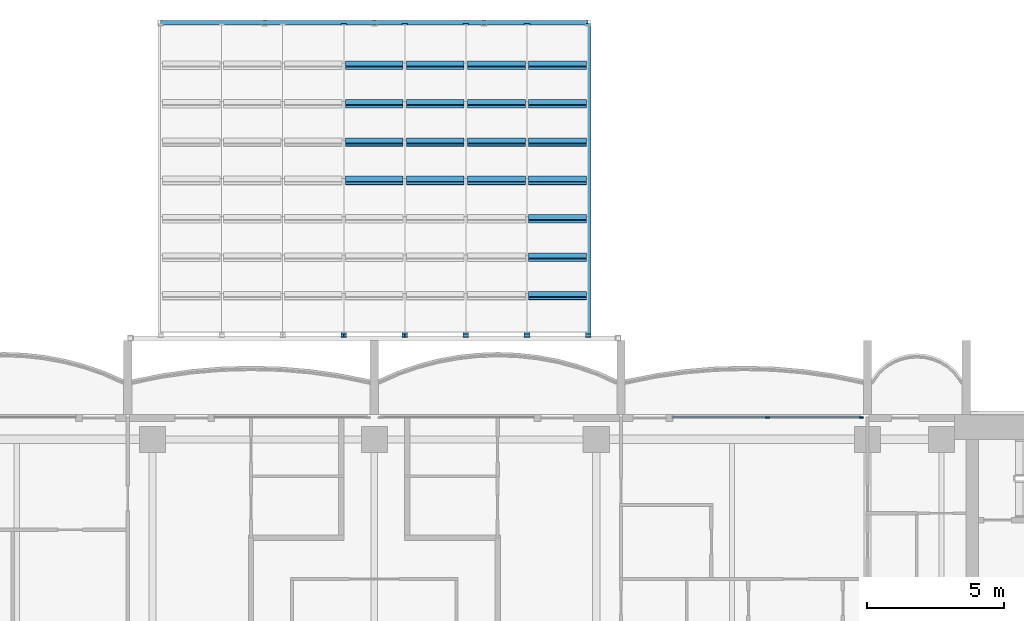
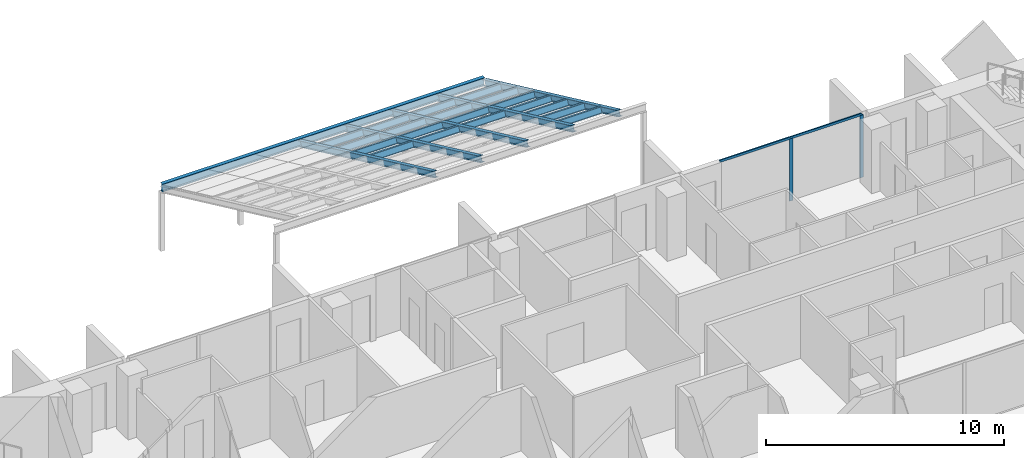
# One storey, part 7 of 20: 22 members, 6 beams, 1 element without a shape of its own.
"""IFC4 building model written with IfcOpenShell, lengths in metres."""

from ifc_helpers import new_model, si_unit, direction, frame, origin, origin_2d, place, context, subcontext, project, spatial, rectangle, i_section, extrude, material, material_profile, profile_set, type_object, element, aggregate, save


model = new_model("IFC4")

# Units and contexts
model_context = context("Model", 3, precision=1e-05, world=origin(), true_north=direction((0.0, 1.0)))
body_context = subcontext(model_context, "Body", "Model", "MODEL_VIEW")
ifc_project = project(units=[si_unit("LENGTHUNIT", "METRE"), si_unit("AREAUNIT", "SQUARE_METRE"), si_unit("VOLUMEUNIT", "CUBIC_METRE"), si_unit("PLANEANGLEUNIT", "RADIAN"), si_unit("MASSUNIT", "GRAM", prefix="KILO")], contexts=[model_context])

# Site, building, storey
site_placement = place(None, origin())
site = spatial("IfcSite", under=ifc_project, at=site_placement, CompositionType="ELEMENT")
building_placement = place(site_placement, origin())
building = spatial("IfcBuilding", under=site, at=building_placement, Name="Perihelion Cross Residences", CompositionType="ELEMENT")
storey_placement = place(building_placement, frame((0.0, 0.0, 170.10009765625)))
storey = spatial("IfcBuildingStorey", under=building, at=storey_placement, Name="L41", CompositionType="ELEMENT", Elevation=170.10009765625)

# Curtain wall, members
ifc_material_1 = material(Name="Bronze anodised aluminium, tinted glazing", Category="aluminium")
curtain_wall_type = type_object("IfcCurtainWallType", Name="CW1", PredefinedType="NOTDEFINED", material=ifc_material_1)
curtain_wall_placement = place(storey_placement, origin())
curtain_wall = element("IfcCurtainWall", 1, at=curtain_wall_placement, inside=storey, type_object=curtain_wall_type, Name="Curtain wall CW1 L41 east side north bay 2", PredefinedType="NOTDEFINED")
ifc_material_2 = material(Name="Bronze anodised aluminium", Category="aluminium")
ifc_material_profile_1 = material_profile(ifc_material_2, rectangle(XDim=0.06005859375, YDim=0.159912109375, at=origin_2d()), Name="CW1 mullion")
ifc_profile_set_1 = profile_set([ifc_material_profile_1], Name="Bronze anodised aluminium")
member_type_1 = type_object("IfcMemberType", Name="CW1 mullion", PredefinedType="MULLION", material=ifc_profile_set_1)
member_1_placement = place(storey_placement, frame((17.77001953125, 8.89990234375, 0.0), z_axis=(0.0, 0.0, 1.0), x_axis=(0.0, -1.0, 0.0)))
member_1 = element("IfcMember", 2, at=member_1_placement, type_object=member_type_1, Name="CW1 mullion 1", PredefinedType="MULLION", context=body_context, shape_type="SweptSolid", body=[
    extrude(rectangle(XDim=0.06005859375, YDim=0.159912109375, at=origin_2d()), origin(), (0.0, 0.0, 1.0), 3.18994140625),
])
member_2_placement = place(storey_placement, frame((14.35009765625, 8.89990234375, 0.0), z_axis=(0.0, 0.0, 1.0), x_axis=(0.0, -1.0, 0.0)))
member_2 = element("IfcMember", 3, at=member_2_placement, type_object=member_type_1, Name="CW1 mullion 2", PredefinedType="MULLION", context=body_context, shape_type="SweptSolid", body=[
    extrude(rectangle(XDim=0.06005859375, YDim=0.159912109375, at=origin_2d()), origin(), (0.0, 0.0, 1.0), 3.18994140625),
])
ifc_material_3 = material(Name="Bronze anodised aluminium", Category="aluminium")
ifc_material_profile_2 = material_profile(ifc_material_3, rectangle(XDim=0.06005859375, YDim=0.1201171875, at=origin_2d()), Name="CW1 transom")
ifc_profile_set_2 = profile_set([ifc_material_profile_2], Name="Bronze anodised aluminium")
member_type_2 = type_object("IfcMemberType", Name="CW1 transom", PredefinedType="USERDEFINED", material=ifc_profile_set_2)
member_3_placement = place(storey_placement, frame((17.77001953125, 8.89990234375, 3.219970703125), z_axis=(-1.0, 0.0, 0.0), x_axis=(0.0, -1.0, 0.0)))
member_3 = element("IfcMember", 4, at=member_3_placement, type_object=member_type_2, Name="CW1 head transom", ObjectType="TRANSOM", PredefinedType="USERDEFINED", context=body_context, shape_type="SweptSolid", body=[
    extrude(rectangle(XDim=0.06005859375, YDim=0.1201171875, at=origin_2d()), origin(), (0.0, 0.0, 1.0), 6.8701171875),
])
aggregate(curtain_wall, [member_1, member_2, member_3])

# Beam
ifc_material_4 = material(Name="Steel S355", Category="steel")
ifc_material_profile_3 = material_profile(ifc_material_4, i_section(OverallWidth=0.177978515625, OverallDepth=0.406005859375, WebThickness=0.0078125, FlangeThickness=0.0126953125, at=origin_2d()), Name="W410x60")
ifc_profile_set_3 = profile_set([ifc_material_profile_3], Name="Steel S355")
beam_type_1 = type_object("IfcBeamType", Name="Canopy edge beam W410x60", PredefinedType="BEAM", material=ifc_profile_set_3)
beam_placement = place(storey_placement, frame((-7.800048828125, 23.300048828125, -0.300048828125), z_axis=(1.0, 0.0, 0.0), x_axis=(0.0, 1.0, 0.0)))
element("IfcBeam", 5, at=beam_placement, inside=storey, type_object=beam_type_1, Name="Canopy SC2 L41 edge", PredefinedType="BEAM", context=body_context, shape_type="SweptSolid", body=[
    extrude(i_section(OverallWidth=0.177978515625, OverallDepth=0.406005859375, WebThickness=0.0078125, FlangeThickness=0.0126953125, at=origin_2d()), origin(), (0.0, 0.0, 1.0), 15.60009765625),
])

# Members
ifc_material_5 = material(Name="Steel S355", Category="steel")
ifc_material_profile_4 = material_profile(ifc_material_5, i_section(OverallWidth=0.202880859375, OverallDepth=0.302001953125, WebThickness=0.007568359375, FlangeThickness=0.01318359375, at=origin_2d()), Name="W310x60")
ifc_profile_set_4 = profile_set([ifc_material_profile_4], Name="Steel S355")
member_type_3 = type_object("IfcMemberType", Name="Canopy purlin W310x60", PredefinedType="PURLIN", material=ifc_profile_set_4)
for number, where, z_axis, x_axis, name in (
    (6, (-1.052734375, 21.74658203125, 0.35302734375), (1.0, 0.0, 0.0), (0.0, 0.906307787037, -0.422618261741), "Canopy SC4 L41 purlin 1 4"),
    (7, (1.17578125, 21.74658203125, 0.35302734375), (1.0, 0.0, 0.0), (0.0, 0.906307787037, -0.422618261741), "Canopy SC4 L41 purlin 1 5"),
):
    element("IfcMember", number, at=place(storey_placement, frame(where, z_axis=z_axis, x_axis=x_axis)), inside=storey, type_object=member_type_3, Name=name, PredefinedType="PURLIN", context=body_context, shape_type="SweptSolid", body=[
        extrude(i_section(OverallWidth=0.202880859375, OverallDepth=0.302001953125, WebThickness=0.007568359375, FlangeThickness=0.01318359375, at=origin_2d()), origin(), (0.0, 0.0, 1.0), 2.10546875),
    ])
for number, where, z_axis, x_axis, name in (
    (8, (3.404296875, 21.74658203125, 0.35302734375), (1.0, 0.0, 0.0), (0.0, 0.906307787037, -0.422618261741), "Canopy SC4 L41 purlin 1 6"),
    (9, (5.6328125, 21.74658203125, 0.35302734375), (1.0, 0.0, 0.0), (0.0, 0.906307787037, -0.422618261741), "Canopy SC4 L41 purlin 1 7"),
):
    element("IfcMember", number, at=place(storey_placement, frame(where, z_axis=z_axis, x_axis=x_axis)), inside=storey, type_object=member_type_3, Name=name, PredefinedType="PURLIN", context=body_context, shape_type="SweptSolid", body=[
        extrude(i_section(OverallWidth=0.202880859375, OverallDepth=0.302001953125, WebThickness=0.007568359375, FlangeThickness=0.01318359375, at=origin_2d()), origin(), (0.0, 0.0, 1.0), 2.105712890625),
    ])
for number, where, z_axis, x_axis, name in (
    (10, (-1.052734375, 20.345947265625, 1.006103515625), (1.0, 0.0, 0.0), (0.0, 0.906307787037, -0.422618261741), "Canopy SC4 L41 purlin 2 4"),
    (11, (1.17578125, 20.345947265625, 1.006103515625), (1.0, 0.0, 0.0), (0.0, 0.906307787037, -0.422618261741), "Canopy SC4 L41 purlin 2 5"),
):
    element("IfcMember", number, at=place(storey_placement, frame(where, z_axis=z_axis, x_axis=x_axis)), inside=storey, type_object=member_type_3, Name=name, PredefinedType="PURLIN", context=body_context, shape_type="SweptSolid", body=[
        extrude(i_section(OverallWidth=0.202880859375, OverallDepth=0.302001953125, WebThickness=0.007568359375, FlangeThickness=0.01318359375, at=origin_2d()), origin(), (0.0, 0.0, 1.0), 2.10546875),
    ])
for number, where, z_axis, x_axis, name in (
    (12, (3.404296875, 20.345947265625, 1.006103515625), (1.0, 0.0, 0.0), (0.0, 0.906307787037, -0.422618261741), "Canopy SC4 L41 purlin 2 6"),
    (13, (5.6328125, 20.345947265625, 1.006103515625), (1.0, 0.0, 0.0), (0.0, 0.906307787037, -0.422618261741), "Canopy SC4 L41 purlin 2 7"),
):
    element("IfcMember", number, at=place(storey_placement, frame(where, z_axis=z_axis, x_axis=x_axis)), inside=storey, type_object=member_type_3, Name=name, PredefinedType="PURLIN", context=body_context, shape_type="SweptSolid", body=[
        extrude(i_section(OverallWidth=0.202880859375, OverallDepth=0.302001953125, WebThickness=0.007568359375, FlangeThickness=0.01318359375, at=origin_2d()), origin(), (0.0, 0.0, 1.0), 2.105712890625),
    ])
for number, where, z_axis, x_axis, name in (
    (14, (-1.052734375, 18.945068359375, 1.659423828125), (1.0, 0.0, 0.0), (0.0, 0.906307787037, -0.422618261741), "Canopy SC4 L41 purlin 3 4"),
    (15, (1.17578125, 18.945068359375, 1.659423828125), (1.0, 0.0, 0.0), (0.0, 0.906307787037, -0.422618261741), "Canopy SC4 L41 purlin 3 5"),
):
    element("IfcMember", number, at=place(storey_placement, frame(where, z_axis=z_axis, x_axis=x_axis)), inside=storey, type_object=member_type_3, Name=name, PredefinedType="PURLIN", context=body_context, shape_type="SweptSolid", body=[
        extrude(i_section(OverallWidth=0.202880859375, OverallDepth=0.302001953125, WebThickness=0.007568359375, FlangeThickness=0.01318359375, at=origin_2d()), origin(), (0.0, 0.0, 1.0), 2.10546875),
    ])
for number, where, z_axis, x_axis, name in (
    (16, (3.404296875, 18.945068359375, 1.659423828125), (1.0, 0.0, 0.0), (0.0, 0.906307787037, -0.422618261741), "Canopy SC4 L41 purlin 3 6"),
    (17, (5.6328125, 18.945068359375, 1.659423828125), (1.0, 0.0, 0.0), (0.0, 0.906307787037, -0.422618261741), "Canopy SC4 L41 purlin 3 7"),
):
    element("IfcMember", number, at=place(storey_placement, frame(where, z_axis=z_axis, x_axis=x_axis)), inside=storey, type_object=member_type_3, Name=name, PredefinedType="PURLIN", context=body_context, shape_type="SweptSolid", body=[
        extrude(i_section(OverallWidth=0.202880859375, OverallDepth=0.302001953125, WebThickness=0.007568359375, FlangeThickness=0.01318359375, at=origin_2d()), origin(), (0.0, 0.0, 1.0), 2.105712890625),
    ])
for number, where, z_axis, x_axis, name in (
    (18, (-1.052734375, 17.54443359375, 2.3125), (1.0, 0.0, 0.0), (0.0, 0.906307787037, -0.422618261741), "Canopy SC4 L41 purlin 4 4"),
    (19, (1.17578125, 17.54443359375, 2.3125), (1.0, 0.0, 0.0), (0.0, 0.906307787037, -0.422618261741), "Canopy SC4 L41 purlin 4 5"),
):
    element("IfcMember", number, at=place(storey_placement, frame(where, z_axis=z_axis, x_axis=x_axis)), inside=storey, type_object=member_type_3, Name=name, PredefinedType="PURLIN", context=body_context, shape_type="SweptSolid", body=[
        extrude(i_section(OverallWidth=0.202880859375, OverallDepth=0.302001953125, WebThickness=0.007568359375, FlangeThickness=0.01318359375, at=origin_2d()), origin(), (0.0, 0.0, 1.0), 2.10546875),
    ])
for number, where, z_axis, x_axis, name in (
    (20, (3.404296875, 17.54443359375, 2.3125), (1.0, 0.0, 0.0), (0.0, 0.906307787037, -0.422618261741), "Canopy SC4 L41 purlin 4 6"),
    (21, (5.6328125, 17.54443359375, 2.3125), (1.0, 0.0, 0.0), (0.0, 0.906307787037, -0.422618261741), "Canopy SC4 L41 purlin 4 7"),
    (22, (5.6328125, 16.143798828125, 2.965576171875), (1.0, 0.0, 0.0), (0.0, 0.906307787037, -0.422618261741), "Canopy SC4 L41 purlin 5 7"),
    (23, (5.6328125, 14.7431640625, 3.61865234375), (1.0, 0.0, 0.0), (0.0, 0.906307787037, -0.422618261741), "Canopy SC4 L41 purlin 6 7"),
    (24, (5.6328125, 13.342529296875, 4.27197265625), (1.0, 0.0, 0.0), (0.0, 0.906307787037, -0.422618261741), "Canopy SC4 L41 purlin 7 7"),
):
    element("IfcMember", number, at=place(storey_placement, frame(where, z_axis=z_axis, x_axis=x_axis)), inside=storey, type_object=member_type_3, Name=name, PredefinedType="PURLIN", context=body_context, shape_type="SweptSolid", body=[
        extrude(i_section(OverallWidth=0.202880859375, OverallDepth=0.302001953125, WebThickness=0.007568359375, FlangeThickness=0.01318359375, at=origin_2d()), origin(), (0.0, 0.0, 1.0), 2.105712890625),
    ])

# Beams
ifc_material_6 = material(Name="Steel S355", Category="steel")
ifc_material_profile_5 = material_profile(ifc_material_6, i_section(OverallWidth=0.202880859375, OverallDepth=0.302001953125, WebThickness=0.007568359375, FlangeThickness=0.01318359375, at=origin_2d()), Name="W310x60")
ifc_profile_set_5 = profile_set([ifc_material_profile_5], Name="Steel S355")
beam_type_2 = type_object("IfcBeamType", Name="Canopy rafter W310x60", PredefinedType="BEAM", material=ifc_profile_set_5)
for number, where, z_axis, x_axis, name in (
    (25, (-1.1142578125, 23.20166015625, -0.325439453125), (0.0, -0.906308504648, 0.422616722815), (1.0, 0.0, 0.0), "Canopy SC3 L41 rafter 4"),
    (26, (1.1142578125, 23.20166015625, -0.325439453125), (0.0, -0.906308504648, 0.422616722815), (1.0, 0.0, 0.0), "Canopy SC3 L41 rafter 5"),
    (27, (3.3427734375, 23.20166015625, -0.325439453125), (0.0, -0.906308504648, 0.422616722815), (1.0, 0.0, 0.0), "Canopy SC3 L41 rafter 6"),
    (28, (5.571533203125, 23.20166015625, -0.325439453125), (0.0, -0.906308504648, 0.422616722815), (1.0, 0.0, 0.0), "Canopy SC3 L41 rafter 7"),
    (29, (7.800048828125, 23.20166015625, -0.325439453125), (0.0, -0.906308504648, 0.422616722815), (1.0, 0.0, 0.0), "Canopy SC3 L41 rafter 8"),
):
    element("IfcBeam", number, at=place(storey_placement, frame(where, z_axis=z_axis, x_axis=x_axis)), inside=storey, type_object=beam_type_2, Name=name, PredefinedType="BEAM", context=body_context, shape_type="SweptSolid", body=[
        extrude(i_section(OverallWidth=0.202880859375, OverallDepth=0.302001953125, WebThickness=0.007568359375, FlangeThickness=0.01318359375, at=origin_2d()), origin(), (0.0, 0.0, 1.0), 12.48388671875),
    ])

save(model, "model.ifc")
